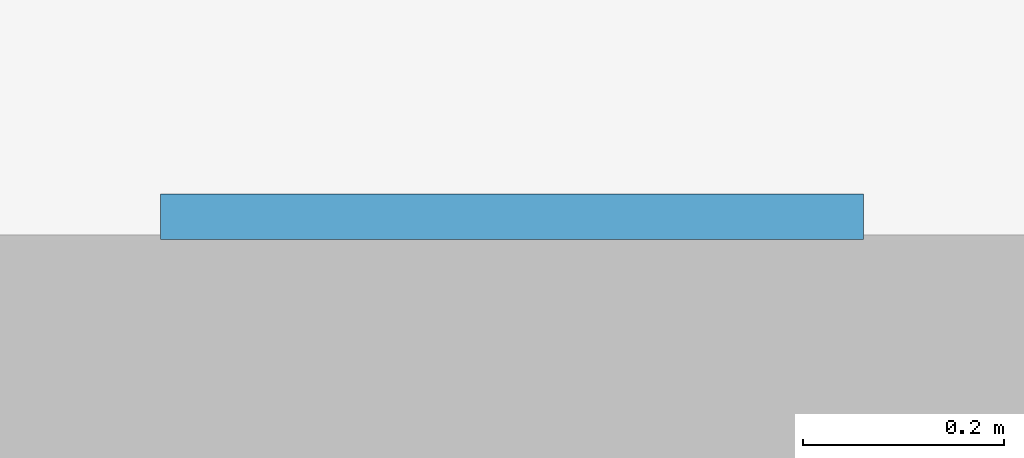
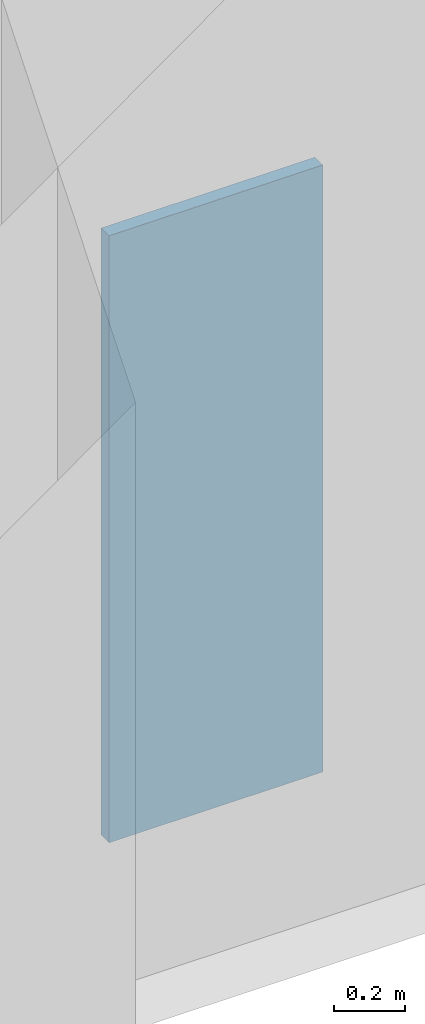
# One storey, part 5 of 19: 1 plate.
"""IFC4 building model written with IfcOpenShell, lengths in metres."""

from ifc_helpers import new_model, si_unit, derived_unit, direction, frame, origin, origin_2d, place, context, subcontext, project, spatial, rectangle, extrude, source, transform, mapped, material, layer, layer_set, type_object, type_shapes, element, save


model = new_model("IFC4")

# Units and contexts
model_context = context("Model", 3, precision=1e-05, world=origin(), true_north=direction((0.0, 1.0)))
body_context = subcontext(model_context, "Body", "Model", "MODEL_VIEW")
ifc_project = project(units=[si_unit("LENGTHUNIT", "METRE"), si_unit("AREAUNIT", "SQUARE_METRE"), si_unit("VOLUMEUNIT", "CUBIC_METRE"), si_unit("PLANEANGLEUNIT", "RADIAN"), si_unit("MASSUNIT", "GRAM", prefix="KILO"), si_unit("THERMODYNAMICTEMPERATUREUNIT", "KELVIN"), si_unit("POWERUNIT", "WATT"), derived_unit("THERMALTRANSMITTANCEUNIT", [(si_unit("POWERUNIT", "WATT"), 1), (si_unit("AREAUNIT", "SQUARE_METRE"), -1), (si_unit("THERMODYNAMICTEMPERATUREUNIT", "KELVIN"), -1)])], contexts=[model_context])

# Site, building, storey
site_placement = place(None, origin())
site = spatial("IfcSite", under=ifc_project, at=site_placement, CompositionType="ELEMENT")
building_placement = place(site_placement, origin())
building = spatial("IfcBuilding", under=site, at=building_placement, Name="Zahravan Archway Hotel and Residences", CompositionType="ELEMENT")
storey_placement = place(building_placement, frame((0.0, 0.0, 21.60009765625)))
storey = spatial("IfcBuildingStorey", under=building, at=storey_placement, Name="L04", CompositionType="ELEMENT", Elevation=21.60009765625)

# Plate
ifc_material = material(Name="Perforated Cast Bronze Jali Lattice")
ifc_layer = layer(ifc_material, 0.044921875, Name="Perforated Cast Bronze Jali Lattice")
ifc_layer_set = layer_set([ifc_layer], Name="Perforated Cast Bronze Jali Lattice")
plate_type = type_object("IfcPlateType", Name="PLT-JALI-BAY", PredefinedType="USERDEFINED", material=ifc_layer_set)
shared_shape = source(origin(), body_context, "Body", "SweptSolid", [
    extrude(rectangle(XDim=0.699951171875, YDim=0.044921875, at=origin_2d()), origin(), (0.0, 0.0, 1.0), 2.10009765625),
])
type_shapes(plate_type, [shared_shape])
plate_placement = place(storey_placement, frame((58.89990234375, 0.177978515625, 0.249755859375), z_axis=(0.0, 0.0, 1.0), x_axis=(1.0, 0.0, 0.0)))
element("IfcPlate", 1, at=plate_placement, inside=storey, type_object=plate_type, Name="L04 Podium Mughal Jali Pier Screen 09", ObjectType="SCREEN", PredefinedType="USERDEFINED", context=body_context, shape_type="MappedRepresentation", body=[
    mapped(shared_shape, transform((0.0, 0.0, 0.0), scale=1.0)),
])

save(model, "model.ifc")
